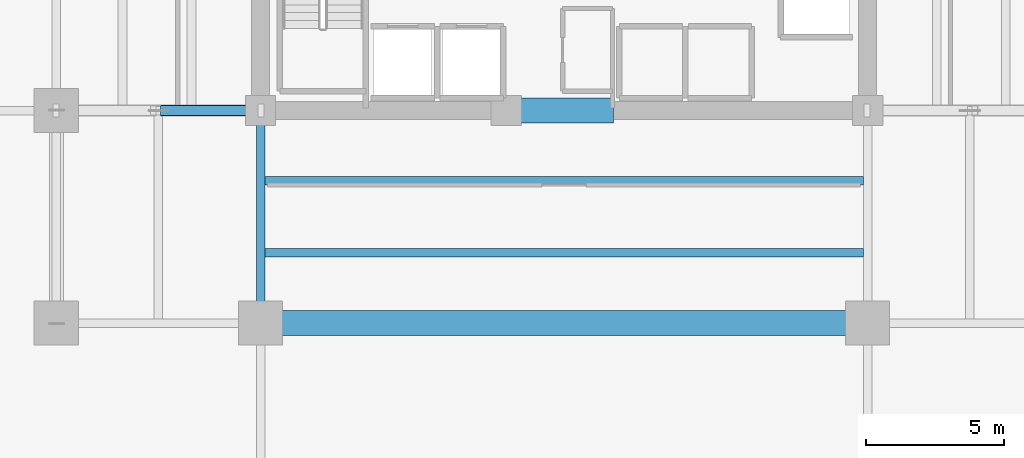
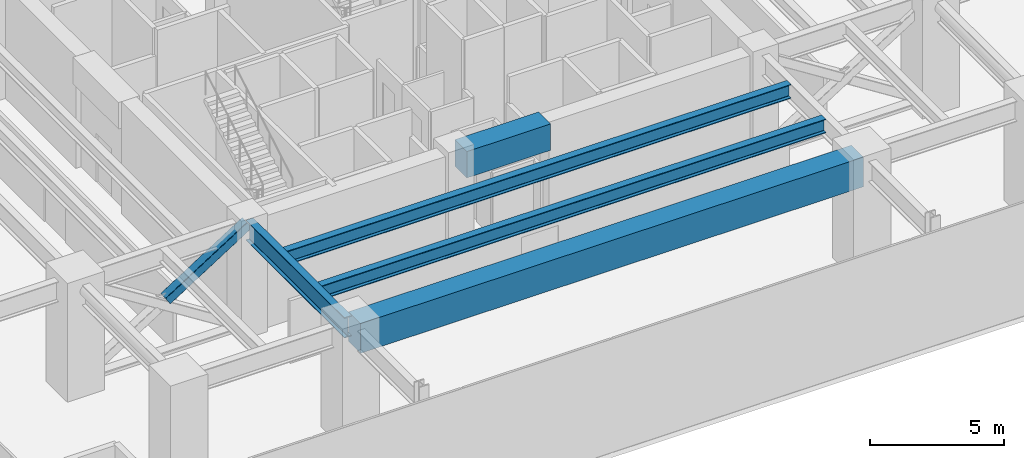
# One storey, part 5 of 26: 5 beams, 1 member.
"""IFC4 building model written with IfcOpenShell, lengths in metres."""

from ifc_helpers import new_model, si_unit, direction, frame, origin, origin_2d, place, context, subcontext, project, spatial, rectangle, hollow_rectangle, i_section, extrude, material, material_profile, profile_set, type_object, element, save


model = new_model("IFC4")

# Units and contexts
model_context = context("Model", 3, precision=1e-05, world=origin(), true_north=direction((0.0, 1.0)))
body_context = subcontext(model_context, "Body", "Model", "MODEL_VIEW")
ifc_project = project(units=[si_unit("LENGTHUNIT", "METRE"), si_unit("AREAUNIT", "SQUARE_METRE"), si_unit("VOLUMEUNIT", "CUBIC_METRE"), si_unit("PLANEANGLEUNIT", "RADIAN"), si_unit("MASSUNIT", "GRAM", prefix="KILO")], contexts=[model_context])

# Site, building, storey
site_placement = place(None, origin())
site = spatial("IfcSite", under=ifc_project, at=site_placement, CompositionType="ELEMENT")
building_placement = place(site_placement, origin())
building = spatial("IfcBuilding", under=site, at=building_placement, Name="Kovane Verandah Tower", CompositionType="ELEMENT")
storey_placement = place(building_placement, frame((0.0, 0.0, 113.0)))
storey = spatial("IfcBuildingStorey", under=building, at=storey_placement, Name="L26", CompositionType="ELEMENT", Elevation=113.0)

# Beams
ifc_material_1 = material(Name="Concrete C80/95", Category="concrete")
ifc_material_profile_1 = material_profile(ifc_material_1, rectangle(XDim=0.89990234375, YDim=1.199951171875, at=origin_2d()), Name="RCB900x1200")
ifc_profile_set_1 = profile_set([ifc_material_profile_1], Name="Concrete C80/95")
beam_type_1 = type_object("IfcBeamType", Name="BM-LINTEL-900x1200", PredefinedType="LINTEL", material=ifc_profile_set_1)
beam_1_placement = place(storey_placement, frame((38.199951171875, 18.5, 4.5), z_axis=(1.0, 0.0, 0.0), x_axis=(0.0, 1.0, 0.0)))
element("IfcBeam", 1, at=beam_1_placement, inside=storey, type_object=beam_type_1, Name="L26 Core Coupling Lintel CL-S", PredefinedType="LINTEL", context=body_context, shape_type="SweptSolid", body=[
    extrude(rectangle(XDim=0.89990234375, YDim=1.199951171875, at=origin_2d()), origin(), (0.0, 0.0, 1.0), 3.60009765625),
])
ifc_material_profile_2 = material_profile(ifc_material_1, rectangle(XDim=0.89990234375, YDim=1.35009765625, at=origin_2d()), Name="RCB900x1350")
ifc_profile_set_2 = profile_set([ifc_material_profile_2], Name="Concrete C80/95")
beam_type_2 = type_object("IfcBeamType", Name="BM-TR-900x1350", PredefinedType="BEAM", material=ifc_profile_set_2)
beam_2_placement = place(storey_placement, frame((29.179931640625, 10.800048828125, 4.425048828125), z_axis=(1.0, 0.0, 0.0), x_axis=(0.0, 1.0, 0.0)))
element("IfcBeam", 2, at=beam_2_placement, inside=storey, type_object=beam_type_2, Name="L26 Primary Tower Girder G-RS2", PredefinedType="BEAM", context=body_context, shape_type="SweptSolid", body=[
    extrude(rectangle(XDim=0.89990234375, YDim=1.35009765625, at=origin_2d()), origin(), (0.0, 0.0, 1.0), 21.64013671875),
])
ifc_material_2 = material(Name="Steel S460", Category="steel")
ifc_material_profile_3 = material_profile(ifc_material_2, i_section(OverallWidth=0.311279296875, OverallDepth=0.6357421875, WebThickness=0.018310546875, FlangeThickness=0.031494140625, FilletRadius=0.0166015625, at=origin_2d()), Name="UB610x305x238")
ifc_profile_set_3 = profile_set([ifc_material_profile_3], Name="Steel S460")
beam_type_3 = type_object("IfcBeamType", Name="BM-UB610x238", PredefinedType="BEAM", material=ifc_profile_set_3)
for number, where, z_axis, x_axis, name in (
    (3, (29.15185546875, 13.35009765625, 4.781982421875), (1.0, 0.0, 0.0), (0.0, 1.0, 0.0), "L26 Secondary Composite Joist J-S1"),
    (4, (29.15185546875, 15.949951171875, 4.781982421875), (1.0, 0.0, 0.0), (0.0, 1.0, 0.0), "L26 Secondary Composite Joist J-S2"),
):
    element("IfcBeam", number, at=place(storey_placement, frame(where, z_axis=z_axis, x_axis=x_axis)), inside=storey, type_object=beam_type_3, Name=name, PredefinedType="BEAM", context=body_context, shape_type="SweptSolid", body=[
        extrude(i_section(OverallWidth=0.311279296875, OverallDepth=0.6357421875, WebThickness=0.018310546875, FlangeThickness=0.031494140625, FilletRadius=0.0166015625, at=origin_2d()), origin(), (0.0, 0.0, 1.0), 21.6962890625),
    ])
ifc_material_profile_4 = material_profile(ifc_material_2, i_section(OverallWidth=0.3076171875, OverallDepth=0.926513671875, WebThickness=0.01953125, FlangeThickness=0.031982421875, FilletRadius=0.01904296875, at=origin_2d()), Name="UB914x305x289")
ifc_profile_set_4 = profile_set([ifc_material_profile_4], Name="Steel S460")
beam_type_4 = type_object("IfcBeamType", Name="BM-UB914x289", PredefinedType="BEAM", material=ifc_profile_set_4)
beam_3_placement = place(storey_placement, frame((29.0, 18.320068359375, 4.63671875), z_axis=(0.0, -1.0, 0.0), x_axis=(1.0, 0.0, 0.0)))
element("IfcBeam", 5, at=beam_3_placement, inside=storey, type_object=beam_type_4, Name="L26 Primary Tower Girder G-S1", PredefinedType="BEAM", context=body_context, shape_type="SweptSolid", body=[
    extrude(i_section(OverallWidth=0.3076171875, OverallDepth=0.926513671875, WebThickness=0.01953125, FlangeThickness=0.031982421875, FilletRadius=0.01904296875, at=origin_2d()), origin(), (0.0, 0.0, 1.0), 7.340087890625),
])

# Member
ifc_material_profile_5 = material_profile(ifc_material_2, hollow_rectangle(XDim=0.39990234375, YDim=0.39990234375, WallThickness=0.02001953125, InnerFilletRadius=0.02001953125, OuterFilletRadius=0.0400390625, at=origin_2d()), Name="SHS400x400x20")
ifc_profile_set_5 = profile_set([ifc_material_profile_5], Name="Steel S460")
member_type = type_object("IfcMemberType", Name="MEM-BR-SHS400", PredefinedType="BRACE", material=ifc_profile_set_5)
member_placement = place(storey_placement, frame((25.485595703125, 18.5, 2.587890625), z_axis=(0.844124775214, 0.0, 0.536146774559), x_axis=(0.0, 1.0, 0.0)))
element("IfcMember", 6, at=member_placement, inside=storey, type_object=member_type, Name="L26 Outrigger Split Diagonal Upper OW1", PredefinedType="BRACE", context=body_context, shape_type="SweptSolid", body=[
    extrude(hollow_rectangle(XDim=0.39990234375, YDim=0.39990234375, WallThickness=0.02001953125, InnerFilletRadius=0.02001953125, OuterFilletRadius=0.0400390625, at=origin_2d()), origin(), (0.0, 0.0, 1.0), 4.163330078125),
])

save(model, "model.ifc")
